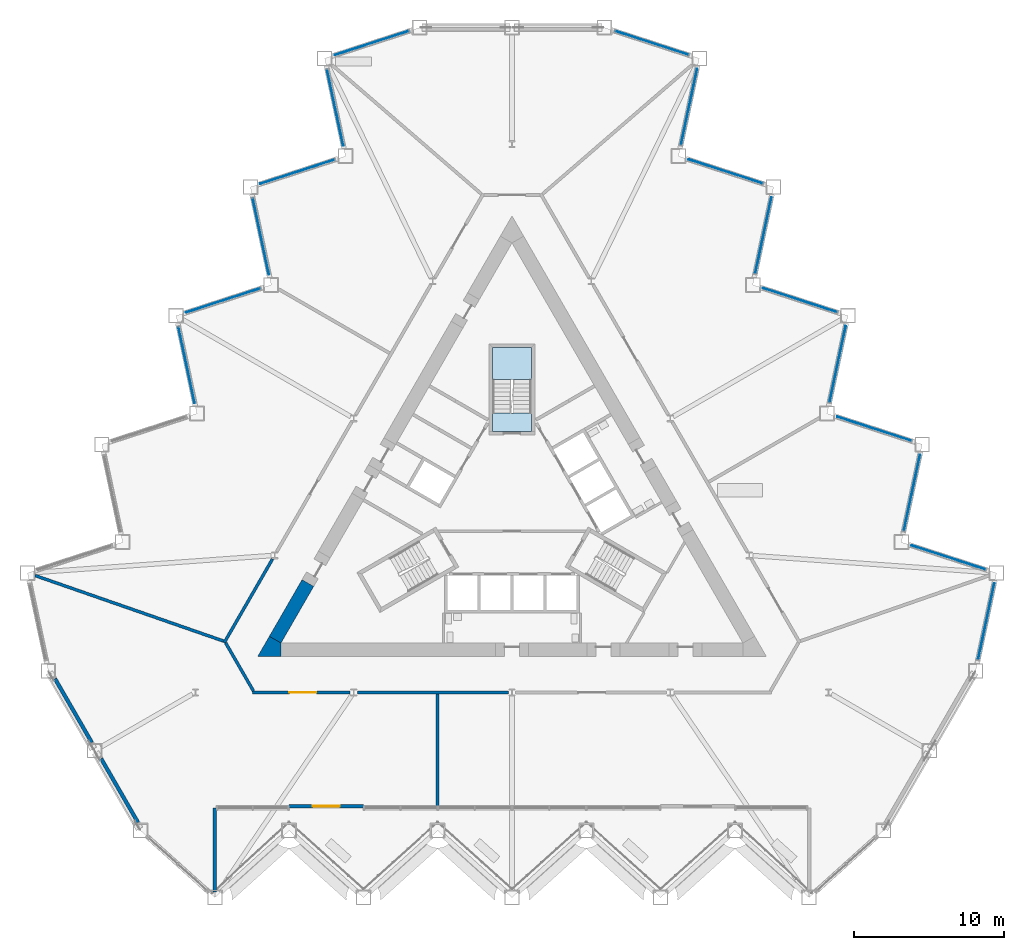
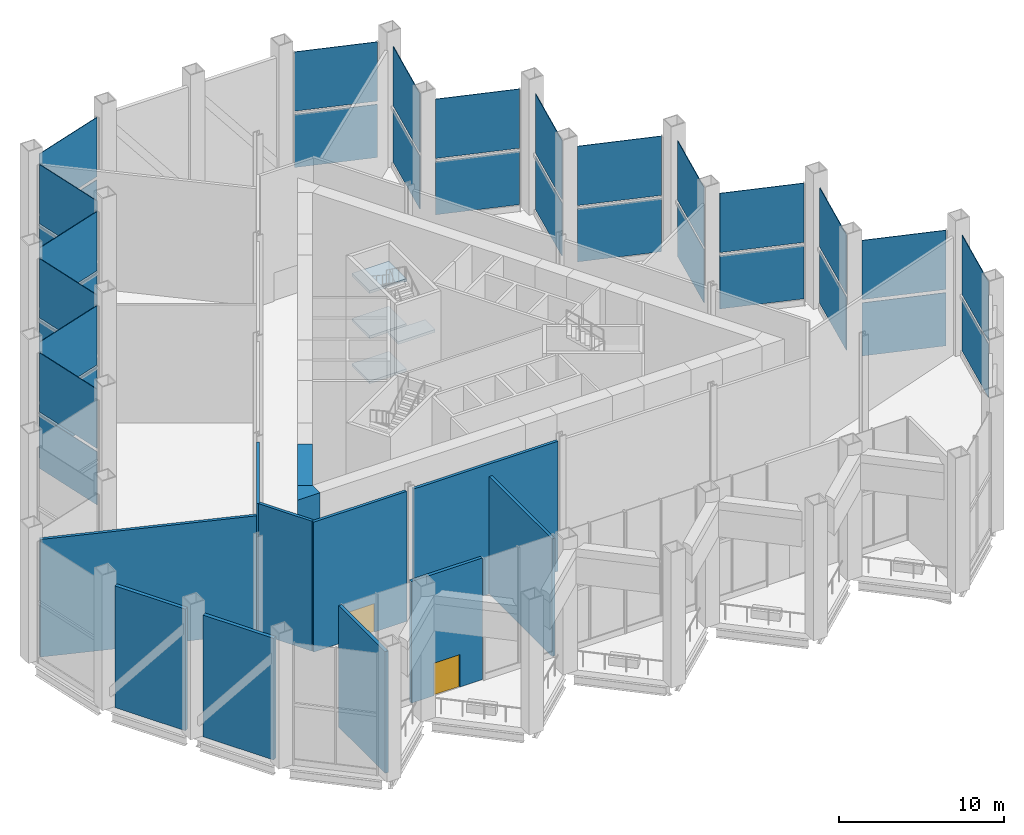
# One storey, part 7 of 17: 32 plates, 12 walls, 4 slabs, 2 doors, 2 openings, 3 elements without a shape of their own.
"""IFC4 building model written with IfcOpenShell, lengths in metres."""

import ifcopenshell
import ifcopenshell.guid

model = None  # the IFC model being written
_history = None  # IfcOwnerHistory: only IFC2X3 demands one
_inside = {}  # id of a spatial element -> (the spatial element, [elements in it])
_under = {}  # id of a project, library or spatial element -> (it, [spatial elements below it])
_declared = {}  # id of a project -> (the project, [libraries it declares])
_typed = {}  # id of a type object -> (the type object, [elements of that type])
_made_of = {}  # id of a material, layer set ... -> (it, [elements and type objects made of it])


def new_model(schema):
    """Start an empty IFC model of exactly this schema.

    Asked for "IFC4X3", IfcOpenShell would pick the latest addendum, in which some entities
    have other attributes; the version numbers below select the first issue.
    IFC2X3 requires an IfcOwnerHistory on every rooted entity: one is made here for all.
    """
    global model, _history
    if schema == "IFC4X3":
        model = ifcopenshell.file(schema_version=(4, 3, 0, 0))
    else:
        model = ifcopenshell.file(schema=schema)
    _inside.clear()
    _under.clear()
    _declared.clear()
    _typed.clear()
    _made_of.clear()
    _history = None
    if model.schema == "IFC2X3":
        org = make("IfcOrganization", Name="unknown")
        user = make(
            "IfcPersonAndOrganization",
            ThePerson=make("IfcPerson", FamilyName="unknown"),
            TheOrganization=org,
        )
        app = make(
            "IfcApplication",
            ApplicationDeveloper=org,
            Version="unknown",
            ApplicationFullName="unknown",
            ApplicationIdentifier="unknown",
        )
        _history = make(
            "IfcOwnerHistory",
            OwningUser=user,
            OwningApplication=app,
            ChangeAction="ADDED",
            CreationDate=0,
        )
    return model


def make(cls, **values):
    """One entity of the class cls with the attributes given. An attribute that is None is left unset."""
    return model.create_entity(
        cls, **{name: value for name, value in values.items() if value is not None}
    )


def rooted(cls, **values):
    """An entity with a GlobalId (a new one), such as an element, a storey or a relation."""
    return make(cls, GlobalId=ifcopenshell.guid.new(), OwnerHistory=_history, **values)


def si_unit(unit_type, name, prefix=None):
    """IfcSIUnit, for example si_unit("LENGTHUNIT", "METRE", prefix="MILLI")."""
    return make("IfcSIUnit", UnitType=unit_type, Prefix=prefix, Name=name)


def assignment(units):
    """IfcUnitAssignment: the units of a project."""
    return None if units is None else make("IfcUnitAssignment", Units=units)


def point(xyz):
    """IfcCartesianPoint."""
    return None if xyz is None else make("IfcCartesianPoint", Coordinates=xyz)


def direction(xyz):
    """IfcDirection."""
    return None if xyz is None else make("IfcDirection", DirectionRatios=xyz)


def frame(location, z_axis=None, x_axis=None):
    """IfcAxis2Placement3D, a coordinate frame: its origin and axes. An axis left out is left unset."""
    return make(
        "IfcAxis2Placement3D",
        Location=point(location),
        Axis=direction(z_axis),
        RefDirection=direction(x_axis),
    )


def frame_2d(location, x_axis=None):
    """IfcAxis2Placement2D, a coordinate frame in the plane: its origin and x axis."""
    return make(
        "IfcAxis2Placement2D", Location=point(location), RefDirection=direction(x_axis)
    )


def origin():
    """The frame at (0, 0, 0) with its axes left unset."""
    return frame((0.0, 0.0, 0.0))


def origin_2d():
    """The frame at (0, 0) in the plane with its x axis left unset."""
    return frame_2d((0.0, 0.0))


def place(relative_to, where):
    """IfcLocalPlacement: puts the frame where relative to a parent placement (None: the world)."""
    return make(
        "IfcLocalPlacement", PlacementRelTo=relative_to, RelativePlacement=where
    )


def context(
    kind, dimensions, precision=None, world=None, true_north=None, identifier=None
):
    """IfcGeometricRepresentationContext, for example the 3D "Model" context."""
    return make(
        "IfcGeometricRepresentationContext",
        ContextIdentifier=identifier,
        ContextType=kind,
        CoordinateSpaceDimension=dimensions,
        Precision=precision,
        WorldCoordinateSystem=world,
        TrueNorth=true_north,
    )


def subcontext(parent, identifier, kind, view, scale=None):
    """IfcGeometricRepresentationSubContext, for example "Body" below "Model"."""
    return make(
        "IfcGeometricRepresentationSubContext",
        ContextIdentifier=identifier,
        ContextType=kind,
        ParentContext=parent,
        TargetScale=scale,
        TargetView=view,
    )


def project(units=None, contexts=None):
    """IfcProject with its units and contexts."""
    return rooted(
        "IfcProject",
        Name="project",
        RepresentationContexts=contexts,
        UnitsInContext=assignment(units),
    )


def spatial(cls, under=None, at=None, **own):
    """A site, building, storey or space (cls), placed at a placement, below another one or the project."""
    s = rooted(cls, ObjectPlacement=at, **own)
    if under is not None:
        _under.setdefault(under.id(), (under, []))[1].append(s)
    return s


def polyline(points):
    """IfcPolyline through the points."""
    return make("IfcPolyline", Points=[point(p) for p in points])


def profile(cls, at=None, kind="AREA", **sizes):
    """A parametric profile (cls). Its sizes go by their IFC names, for example OverallWidth=200.0."""
    return make(cls, ProfileType=kind, Position=at, **sizes)


def rectangle(**sizes):
    """IfcRectangleProfileDef."""
    return profile("IfcRectangleProfileDef", **sizes)


def outline(outer, holes=None, kind="AREA"):
    """IfcArbitraryClosedProfileDef: a profile drawn as a closed curve; with holes, ...WithVoids."""
    if holes is None:
        return make("IfcArbitraryClosedProfileDef", ProfileType=kind, OuterCurve=outer)
    return make(
        "IfcArbitraryProfileDefWithVoids",
        ProfileType=kind,
        OuterCurve=outer,
        InnerCurves=holes,
    )


def extrude(swept, where, along, depth):
    """IfcExtrudedAreaSolid: the profile swept, set in the frame where, extruded along a direction by depth."""
    return make(
        "IfcExtrudedAreaSolid",
        SweptArea=swept,
        Position=where,
        ExtrudedDirection=direction(along),
        Depth=depth,
    )


def shape(context_of_items, identifier, shape_type, items):
    """IfcShapeRepresentation: the items that make up one representation, for example the "Body"."""
    return make(
        "IfcShapeRepresentation",
        ContextOfItems=context_of_items,
        RepresentationIdentifier=identifier,
        RepresentationType=shape_type,
        Items=items,
    )


def material(Name=None, Category=None):
    """IfcMaterial."""
    return make("IfcMaterial", Name=Name, Category=Category)


def layer(
    of_material, thickness, ventilated=None, Name=None, Category=None, Priority=None
):
    """IfcMaterialLayer: one layer of a wall or slab, of a material (None: an air gap)."""
    return make(
        "IfcMaterialLayer",
        Material=of_material,
        LayerThickness=thickness,
        IsVentilated=ventilated,
        Name=Name,
        Category=Category,
        Priority=Priority,
    )


def layer_set(layers, Name=None):
    """IfcMaterialLayerSet."""
    return make("IfcMaterialLayerSet", MaterialLayers=layers, LayerSetName=Name)


def made_of(thing, what):
    """Note that an element or type object is made of a material, layer set ...; save() writes the relation."""
    if what is not None:
        _made_of.setdefault(what.id(), (what, []))[1].append(thing)
    return thing


def type_object(cls, material=None, **own):
    """A type object (cls), such as IfcWallType, which elements share."""
    return made_of(rooted(cls, **own), material)


def element(
    cls,
    number,
    at=None,
    inside=None,
    cuts=None,
    type_object=None,
    material=None,
    context=None,
    identifier="Body",
    shape_type=None,
    held_by="IfcProductDefinitionShape",
    body=None,
    shapes=None,
    **own,
):
    """One element of the class cls, such as IfcWall. Its Tag is "e" and its number.

    at: its placement. inside: the storey or other place that contains it. cuts: it is an
    opening in that element (IfcRelVoidsElement). A single representation is given by context,
    identifier, shape_type and body (its items); several are given by shapes. held_by: the class
    of the entity that holds the representations. save() writes the other relations.
    """
    e = rooted(cls, Tag="e%d" % number, ObjectPlacement=at, **own)
    if body is not None:
        shapes = [shape(context, identifier, shape_type, body)]
    if shapes is not None:
        e.Representation = make(held_by, Representations=shapes)
    if inside is not None:
        _inside.setdefault(inside.id(), (inside, []))[1].append(e)
    if cuts is not None:
        rooted(
            "IfcRelVoidsElement", RelatingBuildingElement=cuts, RelatedOpeningElement=e
        )
    if type_object is not None:
        _typed.setdefault(type_object.id(), (type_object, []))[1].append(e)
    return made_of(e, material)


def fill(opening, filler):
    """IfcRelFillsElement: the door or window that sits in an opening."""
    return rooted(
        "IfcRelFillsElement",
        RelatingOpeningElement=opening,
        RelatedBuildingElement=filler,
    )


def aggregate(whole, parts):
    """IfcRelAggregates: a whole, such as a stair, and the parts it consists of."""
    return rooted("IfcRelAggregates", RelatingObject=whole, RelatedObjects=parts)


def save(model, path):
    """Write the relations noted so far, then the file.

    IfcRelAggregates (storeys below a building ...), IfcRelContainedInSpatialStructure (elements
    in a storey), IfcRelDefinesByType, IfcRelAssociatesMaterial and IfcRelDeclares: one each for
    every whole, place, type object, material and project.
    """
    for whole, parts in _under.values():
        aggregate(whole, parts)
    for where, things in _inside.values():
        rooted(
            "IfcRelContainedInSpatialStructure",
            RelatedElements=things,
            RelatingStructure=where,
        )
    for kind, things in _typed.values():
        rooted("IfcRelDefinesByType", RelatedObjects=things, RelatingType=kind)
    for what, things in _made_of.values():
        rooted("IfcRelAssociatesMaterial", RelatedObjects=things, RelatingMaterial=what)
    for by, libraries in _declared.values():
        rooted("IfcRelDeclares", RelatingContext=by, RelatedDefinitions=libraries)
    model.write(path)


model = new_model("IFC4")

# Units and contexts
model_context = context("Model", 3, precision=1e-05, world=origin(), true_north=direction((0.0, 1.0)))
body_context = subcontext(model_context, "Body", "Model", "MODEL_VIEW")
ifc_project = project(units=[si_unit("LENGTHUNIT", "METRE"), si_unit("AREAUNIT", "SQUARE_METRE"), si_unit("VOLUMEUNIT", "CUBIC_METRE"), si_unit("PLANEANGLEUNIT", "RADIAN"), si_unit("MASSUNIT", "GRAM", prefix="KILO")], contexts=[model_context])

# Site, building, storey
site_placement = place(None, origin())
site = spatial("IfcSite", under=ifc_project, at=site_placement, CompositionType="ELEMENT")
building_placement = place(site_placement, origin())
building = spatial("IfcBuilding", under=site, at=building_placement, Name="Cormorant Prow Tower", CompositionType="ELEMENT")
storey_placement = place(building_placement, frame((0.0, 0.0, 84.60009765625)))
storey = spatial("IfcBuildingStorey", under=building, at=storey_placement, Name="L18", CompositionType="ELEMENT", Elevation=84.60009765625)

# Curtain wall, plates
ifc_material_1 = material(Name="Aluminium 6063-T6", Category="aluminium")
ifc_layer_1 = layer(ifc_material_1, 0.300048828125)
ifc_layer_set_1 = layer_set([ifc_layer_1], Name="Aluminium 6063-T6")
curtain_wall_type = type_object("IfcCurtainWallType", Name="Sky lobby unitised curtain wall 300", PredefinedType="NOTDEFINED", material=ifc_layer_set_1)
curtain_wall_1_placement = place(storey_placement, origin())
curtain_wall_1 = element("IfcCurtainWall", 1, at=curtain_wall_1_placement, inside=storey, type_object=curtain_wall_type, Name="Sky lobby curtain wall ENE00-ENE09", PredefinedType="NOTDEFINED")
ifc_material_2 = material(Name="Clear glass", Category="glass")
ifc_layer_2 = layer(ifc_material_2, 0.0439453125)
ifc_layer_set_2 = layer_set([ifc_layer_2], Name="Clear glass")
plate_type = type_object("IfcPlateType", Name="Sky lobby glass panel 44", PredefinedType="CURTAIN_PANEL", material=ifc_layer_set_2)
plate_1_placement = place(storey_placement, frame((31.702880859375, -7.46630859375, 0.449951171875), z_axis=(0.0, 0.0, 1.0), x_axis=(0.207911740719, 0.978147590127, 0.0)))
plate_1 = element("IfcPlate", 2, at=plate_1_placement, type_object=plate_type, Name="Sky lobby glass panel ENE00-ENE09", PredefinedType="CURTAIN_PANEL", context=body_context, shape_type="SweptSolid", body=[
    extrude(rectangle(XDim=5.196533203125, YDim=0.0439453125, at=origin_2d()), origin(), (0.0, 0.0, 1.0), 3.92431640625),
])
plate_2_placement = place(storey_placement, frame((31.702880859375, -7.46630859375, 4.6142578125), z_axis=(0.0, 0.0, 1.0), x_axis=(0.207911740719, 0.978147590127, 0.0)))
plate_2 = element("IfcPlate", 3, at=plate_2_placement, type_object=plate_type, Name="Sky lobby glass panel ENE00-ENE09", PredefinedType="CURTAIN_PANEL", context=body_context, shape_type="SweptSolid", body=[
    extrude(rectangle(XDim=5.196533203125, YDim=0.0439453125, at=origin_2d()), origin(), (0.0, 0.0, 1.0), 4.37451171875),
])
plate_3_placement = place(storey_placement, frame((29.173583984375, -3.1923828125, 0.449951171875), z_axis=(0.0, 0.0, 1.0), x_axis=(-0.951056529897, 0.309016952512, 0.0)))
plate_3 = element("IfcPlate", 4, at=plate_3_placement, type_object=plate_type, Name="Sky lobby glass panel ENE00-ENE09", PredefinedType="CURTAIN_PANEL", context=body_context, shape_type="SweptSolid", body=[
    extrude(rectangle(XDim=5.196533203125, YDim=0.0439453125, at=origin_2d()), origin(), (0.0, 0.0, 1.0), 3.92431640625),
])
plate_4_placement = place(storey_placement, frame((29.173583984375, -3.1923828125, 4.6142578125), z_axis=(0.0, 0.0, 1.0), x_axis=(-0.951056529897, 0.309016952512, 0.0)))
plate_4 = element("IfcPlate", 5, at=plate_4_placement, type_object=plate_type, Name="Sky lobby glass panel ENE00-ENE09", PredefinedType="CURTAIN_PANEL", context=body_context, shape_type="SweptSolid", body=[
    extrude(rectangle(XDim=5.196533203125, YDim=0.0439453125, at=origin_2d()), origin(), (0.0, 0.0, 1.0), 4.37451171875),
])
plate_5_placement = place(storey_placement, frame((26.73681640625, 1.135009765625, 0.449951171875), z_axis=(0.0, 0.0, 1.0), x_axis=(0.207911740719, 0.978147590127, 0.0)))
plate_5 = element("IfcPlate", 6, at=plate_5_placement, type_object=plate_type, Name="Sky lobby glass panel ENE00-ENE09", PredefinedType="CURTAIN_PANEL", context=body_context, shape_type="SweptSolid", body=[
    extrude(rectangle(XDim=5.196533203125, YDim=0.0439453125, at=origin_2d()), origin(), (0.0, 0.0, 1.0), 3.92431640625),
])
plate_6_placement = place(storey_placement, frame((26.73681640625, 1.135009765625, 4.6142578125), z_axis=(0.0, 0.0, 1.0), x_axis=(0.207911740719, 0.978147590127, 0.0)))
plate_6 = element("IfcPlate", 7, at=plate_6_placement, type_object=plate_type, Name="Sky lobby glass panel ENE00-ENE09", PredefinedType="CURTAIN_PANEL", context=body_context, shape_type="SweptSolid", body=[
    extrude(rectangle(XDim=5.196533203125, YDim=0.0439453125, at=origin_2d()), origin(), (0.0, 0.0, 1.0), 4.37451171875),
])
plate_7_placement = place(storey_placement, frame((24.20751953125, 5.4091796875, 0.449951171875), z_axis=(0.0, 0.0, 1.0), x_axis=(-0.951056529897, 0.309016952512, 0.0)))
plate_7 = element("IfcPlate", 8, at=plate_7_placement, type_object=plate_type, Name="Sky lobby glass panel ENE00-ENE09", PredefinedType="CURTAIN_PANEL", context=body_context, shape_type="SweptSolid", body=[
    extrude(rectangle(XDim=5.196533203125, YDim=0.0439453125, at=origin_2d()), origin(), (0.0, 0.0, 1.0), 3.92431640625),
])
plate_8_placement = place(storey_placement, frame((24.20751953125, 5.4091796875, 4.6142578125), z_axis=(0.0, 0.0, 1.0), x_axis=(-0.951056529897, 0.309016952512, 0.0)))
plate_8 = element("IfcPlate", 9, at=plate_8_placement, type_object=plate_type, Name="Sky lobby glass panel ENE00-ENE09", PredefinedType="CURTAIN_PANEL", context=body_context, shape_type="SweptSolid", body=[
    extrude(rectangle(XDim=5.196533203125, YDim=0.0439453125, at=origin_2d()), origin(), (0.0, 0.0, 1.0), 4.37451171875),
])
plate_9_placement = place(storey_placement, frame((21.770751953125, 9.736572265625, 0.449951171875), z_axis=(0.0, 0.0, 1.0), x_axis=(0.207911597554, 0.978147620558, 0.0)))
plate_9 = element("IfcPlate", 10, at=plate_9_placement, type_object=plate_type, Name="Sky lobby glass panel ENE00-ENE09", PredefinedType="CURTAIN_PANEL", context=body_context, shape_type="SweptSolid", body=[
    extrude(rectangle(XDim=5.196533203125, YDim=0.0439453125, at=origin_2d()), origin(), (0.0, 0.0, 1.0), 3.92431640625),
])
plate_10_placement = place(storey_placement, frame((21.770751953125, 9.736572265625, 4.6142578125), z_axis=(0.0, 0.0, 1.0), x_axis=(0.207911597554, 0.978147620558, 0.0)))
plate_10 = element("IfcPlate", 11, at=plate_10_placement, type_object=plate_type, Name="Sky lobby glass panel ENE00-ENE09", PredefinedType="CURTAIN_PANEL", context=body_context, shape_type="SweptSolid", body=[
    extrude(rectangle(XDim=5.196533203125, YDim=0.0439453125, at=origin_2d()), origin(), (0.0, 0.0, 1.0), 4.37451171875),
])
plate_11_placement = place(storey_placement, frame((19.241455078125, 14.010498046875, 0.449951171875), z_axis=(0.0, 0.0, 1.0), x_axis=(-0.951056471627, 0.309017131848, 0.0)))
plate_11 = element("IfcPlate", 12, at=plate_11_placement, type_object=plate_type, Name="Sky lobby glass panel ENE00-ENE09", PredefinedType="CURTAIN_PANEL", context=body_context, shape_type="SweptSolid", body=[
    extrude(rectangle(XDim=5.196533203125, YDim=0.0439453125, at=origin_2d()), origin(), (0.0, 0.0, 1.0), 3.92431640625),
])
plate_12_placement = place(storey_placement, frame((19.241455078125, 14.010498046875, 4.6142578125), z_axis=(0.0, 0.0, 1.0), x_axis=(-0.951056471627, 0.309017131848, 0.0)))
plate_12 = element("IfcPlate", 13, at=plate_12_placement, type_object=plate_type, Name="Sky lobby glass panel ENE00-ENE09", PredefinedType="CURTAIN_PANEL", context=body_context, shape_type="SweptSolid", body=[
    extrude(rectangle(XDim=5.196533203125, YDim=0.0439453125, at=origin_2d()), origin(), (0.0, 0.0, 1.0), 4.37451171875),
])
plate_13_placement = place(storey_placement, frame((16.8046875, 18.338134765625, 0.449951171875), z_axis=(0.0, 0.0, 1.0), x_axis=(0.207911597554, 0.978147620558, 0.0)))
plate_13 = element("IfcPlate", 14, at=plate_13_placement, type_object=plate_type, Name="Sky lobby glass panel ENE00-ENE09", PredefinedType="CURTAIN_PANEL", context=body_context, shape_type="SweptSolid", body=[
    extrude(rectangle(XDim=5.196533203125, YDim=0.0439453125, at=origin_2d()), origin(), (0.0, 0.0, 1.0), 3.92431640625),
])
plate_14_placement = place(storey_placement, frame((16.8046875, 18.338134765625, 4.6142578125), z_axis=(0.0, 0.0, 1.0), x_axis=(0.207911597554, 0.978147620558, 0.0)))
plate_14 = element("IfcPlate", 15, at=plate_14_placement, type_object=plate_type, Name="Sky lobby glass panel ENE00-ENE09", PredefinedType="CURTAIN_PANEL", context=body_context, shape_type="SweptSolid", body=[
    extrude(rectangle(XDim=5.196533203125, YDim=0.0439453125, at=origin_2d()), origin(), (0.0, 0.0, 1.0), 4.37451171875),
])
plate_15_placement = place(storey_placement, frame((14.275390625, 22.612060546875, 0.449951171875), z_axis=(0.0, 0.0, 1.0), x_axis=(-0.95105651561, 0.309016996483, 0.0)))
plate_15 = element("IfcPlate", 16, at=plate_15_placement, type_object=plate_type, Name="Sky lobby glass panel ENE00-ENE09", PredefinedType="CURTAIN_PANEL", context=body_context, shape_type="SweptSolid", body=[
    extrude(rectangle(XDim=5.196533203125, YDim=0.0439453125, at=origin_2d()), origin(), (0.0, 0.0, 1.0), 3.92431640625),
])
plate_16_placement = place(storey_placement, frame((14.275390625, 22.612060546875, 4.6142578125), z_axis=(0.0, 0.0, 1.0), x_axis=(-0.95105651561, 0.309016996483, 0.0)))
plate_16 = element("IfcPlate", 17, at=plate_16_placement, type_object=plate_type, Name="Sky lobby glass panel ENE00-ENE09", PredefinedType="CURTAIN_PANEL", context=body_context, shape_type="SweptSolid", body=[
    extrude(rectangle(XDim=5.196533203125, YDim=0.0439453125, at=origin_2d()), origin(), (0.0, 0.0, 1.0), 4.37451171875),
])
plate_17_placement = place(storey_placement, frame((11.838623046875, 26.939453125, 0.449951171875), z_axis=(0.0, 0.0, 1.0), x_axis=(0.207911597554, 0.978147620558, 0.0)))
plate_17 = element("IfcPlate", 18, at=plate_17_placement, type_object=plate_type, Name="Sky lobby glass panel ENE00-ENE09", PredefinedType="CURTAIN_PANEL", context=body_context, shape_type="SweptSolid", body=[
    extrude(rectangle(XDim=5.196533203125, YDim=0.0439453125, at=origin_2d()), origin(), (0.0, 0.0, 1.0), 3.92431640625),
])
plate_18_placement = place(storey_placement, frame((11.838623046875, 26.939453125, 4.6142578125), z_axis=(0.0, 0.0, 1.0), x_axis=(0.207911597554, 0.978147620558, 0.0)))
plate_18 = element("IfcPlate", 19, at=plate_18_placement, type_object=plate_type, Name="Sky lobby glass panel ENE00-ENE09", PredefinedType="CURTAIN_PANEL", context=body_context, shape_type="SweptSolid", body=[
    extrude(rectangle(XDim=5.196533203125, YDim=0.0439453125, at=origin_2d()), origin(), (0.0, 0.0, 1.0), 4.37451171875),
])
plate_19_placement = place(storey_placement, frame((9.347412109375, 31.201171875, 0.449951171875), z_axis=(0.0, 0.0, 1.0), x_axis=(-0.951056529897, 0.309016952512, 0.0)))
plate_19 = element("IfcPlate", 20, at=plate_19_placement, type_object=plate_type, Name="Sky lobby glass panel ENE00-ENE09", PredefinedType="CURTAIN_PANEL", context=body_context, shape_type="SweptSolid", body=[
    extrude(rectangle(XDim=5.116455078125, YDim=0.0439453125, at=origin_2d()), origin(), (0.0, 0.0, 1.0), 3.92431640625),
])
plate_20_placement = place(storey_placement, frame((9.347412109375, 31.201171875, 4.6142578125), z_axis=(0.0, 0.0, 1.0), x_axis=(-0.951056529897, 0.309016952512, 0.0)))
plate_20 = element("IfcPlate", 21, at=plate_20_placement, type_object=plate_type, Name="Sky lobby glass panel ENE00-ENE09", PredefinedType="CURTAIN_PANEL", context=body_context, shape_type="SweptSolid", body=[
    extrude(rectangle(XDim=5.116455078125, YDim=0.0439453125, at=origin_2d()), origin(), (0.0, 0.0, 1.0), 4.37451171875),
])
aggregate(curtain_wall_1, [plate_1, plate_2, plate_3, plate_4, plate_5, plate_6, plate_7, plate_8, plate_9, plate_10, plate_11, plate_12, plate_13, plate_14, plate_15, plate_16, plate_17, plate_18, plate_19, plate_20])

curtain_wall_2_placement = place(storey_placement, origin())
curtain_wall_2 = element("IfcCurtainWall", 22, at=curtain_wall_2_placement, inside=storey, type_object=curtain_wall_type, Name="Sky lobby curtain wall WNW00-WNW09", PredefinedType="NOTDEFINED")
plate_21_placement = place(storey_placement, frame((-9.385498046875, 31.188720703125, 0.449951171875), z_axis=(0.0, 0.0, 1.0), x_axis=(-0.951056529897, -0.309016952512, 0.0)))
plate_21 = element("IfcPlate", 23, at=plate_21_placement, type_object=plate_type, Name="Sky lobby glass panel WNW00-WNW09", PredefinedType="CURTAIN_PANEL", context=body_context, shape_type="SweptSolid", body=[
    extrude(rectangle(XDim=5.196533203125, YDim=0.0439453125, at=origin_2d()), origin(), (0.0, 0.0, 1.0), 3.92431640625),
])
plate_22_placement = place(storey_placement, frame((-9.385498046875, 31.188720703125, 4.6142578125), z_axis=(0.0, 0.0, 1.0), x_axis=(-0.951056529897, -0.309016952512, 0.0)))
plate_22 = element("IfcPlate", 24, at=plate_22_placement, type_object=plate_type, Name="Sky lobby glass panel WNW00-WNW09", PredefinedType="CURTAIN_PANEL", context=body_context, shape_type="SweptSolid", body=[
    extrude(rectangle(XDim=5.196533203125, YDim=0.0439453125, at=origin_2d()), origin(), (0.0, 0.0, 1.0), 4.37451171875),
])
plate_23_placement = place(storey_placement, frame((-11.822021484375, 26.861328125, 0.449951171875), z_axis=(0.0, 0.0, 1.0), x_axis=(0.207911597554, -0.978147620558, 0.0)))
plate_23 = element("IfcPlate", 25, at=plate_23_placement, type_object=plate_type, Name="Sky lobby glass panel WNW00-WNW09", PredefinedType="CURTAIN_PANEL", context=body_context, shape_type="SweptSolid", body=[
    extrude(rectangle(XDim=5.196533203125, YDim=0.0439453125, at=origin_2d()), origin(), (0.0, 0.0, 1.0), 3.92431640625),
])
plate_24_placement = place(storey_placement, frame((-11.822021484375, 26.861328125, 4.6142578125), z_axis=(0.0, 0.0, 1.0), x_axis=(0.207911597554, -0.978147620558, 0.0)))
plate_24 = element("IfcPlate", 26, at=plate_24_placement, type_object=plate_type, Name="Sky lobby glass panel WNW00-WNW09", PredefinedType="CURTAIN_PANEL", context=body_context, shape_type="SweptSolid", body=[
    extrude(rectangle(XDim=5.196533203125, YDim=0.0439453125, at=origin_2d()), origin(), (0.0, 0.0, 1.0), 4.37451171875),
])
plate_25_placement = place(storey_placement, frame((-14.3515625, 22.58740234375, 0.449951171875), z_axis=(0.0, 0.0, 1.0), x_axis=(-0.95105651561, -0.309016996483, 0.0)))
plate_25 = element("IfcPlate", 27, at=plate_25_placement, type_object=plate_type, Name="Sky lobby glass panel WNW00-WNW09", PredefinedType="CURTAIN_PANEL", context=body_context, shape_type="SweptSolid", body=[
    extrude(rectangle(XDim=5.196533203125, YDim=0.0439453125, at=origin_2d()), origin(), (0.0, 0.0, 1.0), 3.92431640625),
])
plate_26_placement = place(storey_placement, frame((-14.3515625, 22.58740234375, 4.6142578125), z_axis=(0.0, 0.0, 1.0), x_axis=(-0.95105651561, -0.309016996483, 0.0)))
plate_26 = element("IfcPlate", 28, at=plate_26_placement, type_object=plate_type, Name="Sky lobby glass panel WNW00-WNW09", PredefinedType="CURTAIN_PANEL", context=body_context, shape_type="SweptSolid", body=[
    extrude(rectangle(XDim=5.196533203125, YDim=0.0439453125, at=origin_2d()), origin(), (0.0, 0.0, 1.0), 4.37451171875),
])
plate_27_placement = place(storey_placement, frame((-16.7880859375, 18.259765625, 0.449951171875), z_axis=(0.0, 0.0, 1.0), x_axis=(0.207911597554, -0.978147620558, 0.0)))
plate_27 = element("IfcPlate", 29, at=plate_27_placement, type_object=plate_type, Name="Sky lobby glass panel WNW00-WNW09", PredefinedType="CURTAIN_PANEL", context=body_context, shape_type="SweptSolid", body=[
    extrude(rectangle(XDim=5.196533203125, YDim=0.0439453125, at=origin_2d()), origin(), (0.0, 0.0, 1.0), 3.92431640625),
])
plate_28_placement = place(storey_placement, frame((-16.7880859375, 18.259765625, 4.6142578125), z_axis=(0.0, 0.0, 1.0), x_axis=(0.207911597554, -0.978147620558, 0.0)))
plate_28 = element("IfcPlate", 30, at=plate_28_placement, type_object=plate_type, Name="Sky lobby glass panel WNW00-WNW09", PredefinedType="CURTAIN_PANEL", context=body_context, shape_type="SweptSolid", body=[
    extrude(rectangle(XDim=5.196533203125, YDim=0.0439453125, at=origin_2d()), origin(), (0.0, 0.0, 1.0), 4.37451171875),
])
plate_29_placement = place(storey_placement, frame((-19.317626953125, 13.98583984375, 0.449951171875), z_axis=(0.0, 0.0, 1.0), x_axis=(-0.951056471627, -0.309017131848, 0.0)))
plate_29 = element("IfcPlate", 31, at=plate_29_placement, type_object=plate_type, Name="Sky lobby glass panel WNW00-WNW09", PredefinedType="CURTAIN_PANEL", context=body_context, shape_type="SweptSolid", body=[
    extrude(rectangle(XDim=5.196533203125, YDim=0.0439453125, at=origin_2d()), origin(), (0.0, 0.0, 1.0), 3.92431640625),
])
plate_30_placement = place(storey_placement, frame((-19.317626953125, 13.98583984375, 4.6142578125), z_axis=(0.0, 0.0, 1.0), x_axis=(-0.951056471627, -0.309017131848, 0.0)))
plate_30 = element("IfcPlate", 32, at=plate_30_placement, type_object=plate_type, Name="Sky lobby glass panel WNW00-WNW09", PredefinedType="CURTAIN_PANEL", context=body_context, shape_type="SweptSolid", body=[
    extrude(rectangle(XDim=5.196533203125, YDim=0.0439453125, at=origin_2d()), origin(), (0.0, 0.0, 1.0), 4.37451171875),
])
plate_31_placement = place(storey_placement, frame((-21.754150390625, 9.658447265625, 0.449951171875), z_axis=(0.0, 0.0, 1.0), x_axis=(0.207911597554, -0.978147620558, 0.0)))
plate_31 = element("IfcPlate", 33, at=plate_31_placement, type_object=plate_type, Name="Sky lobby glass panel WNW00-WNW09", PredefinedType="CURTAIN_PANEL", context=body_context, shape_type="SweptSolid", body=[
    extrude(rectangle(XDim=5.196533203125, YDim=0.0439453125, at=origin_2d()), origin(), (0.0, 0.0, 1.0), 3.92431640625),
])
plate_32_placement = place(storey_placement, frame((-21.754150390625, 9.658447265625, 4.6142578125), z_axis=(0.0, 0.0, 1.0), x_axis=(0.207911597554, -0.978147620558, 0.0)))
plate_32 = element("IfcPlate", 34, at=plate_32_placement, type_object=plate_type, Name="Sky lobby glass panel WNW00-WNW09", PredefinedType="CURTAIN_PANEL", context=body_context, shape_type="SweptSolid", body=[
    extrude(rectangle(XDim=5.196533203125, YDim=0.0439453125, at=origin_2d()), origin(), (0.0, 0.0, 1.0), 4.37451171875),
])
aggregate(curtain_wall_2, [plate_21, plate_22, plate_23, plate_24, plate_25, plate_26, plate_27, plate_28, plate_29, plate_30, plate_31, plate_32])

# Stair, slabs
ifc_material_3 = material(Name="Exit stair 54 risers")
stair_type = type_object("IfcStairType", Name="Exit stair 54 risers", PredefinedType="HALF_TURN_STAIR", material=ifc_material_3)
stair_placement = place(storey_placement, origin())
stair = element("IfcStair", 35, at=stair_placement, inside=storey, type_object=stair_type, Name="L18 Exit stair ST3", PredefinedType="HALF_TURN_STAIR")
ifc_material_4 = material(Name="Concrete 5000 psi", Category="concrete")
ifc_layer_3 = layer(ifc_material_4, 0.199951171875)
ifc_layer_set_3 = layer_set([ifc_layer_3], Name="Concrete 5000 psi")
slab_type = type_object("IfcSlabType", Name="Stair landing 200", PredefinedType="LANDING", material=ifc_layer_set_3)
slab_1_placement = place(storey_placement, frame((0.0, 0.0, 1.466552734375)))
slab_1 = element("IfcSlab", 36, at=slab_1_placement, type_object=slab_type, Name="ST3 landing 1", PredefinedType="LANDING", context=body_context, shape_type="SweptSolid", body=[
    extrude(outline(polyline([(1.2939453125, 8.69189453125), (1.2939453125, 10.8369140625), (-1.2939453125, 10.8369140625), (-1.2939453125, 8.69189453125), (1.2939453125, 8.69189453125)])), origin(), (0.0, 0.0, 1.0), 0.199951171875),
])
slab_2_placement = place(storey_placement, frame((0.0, 0.0, 4.7998046875)))
slab_2 = element("IfcSlab", 37, at=slab_2_placement, type_object=slab_type, Name="ST3 landing 3", PredefinedType="LANDING", context=body_context, shape_type="SweptSolid", body=[
    extrude(outline(polyline([(1.2939453125, 8.69189453125), (1.2939453125, 10.8369140625), (-1.2939453125, 10.8369140625), (-1.2939453125, 8.69189453125), (1.2939453125, 8.69189453125)])), origin(), (0.0, 0.0, 1.0), 0.2001953125),
])
slab_3_placement = place(storey_placement, frame((0.0, 0.0, 6.466552734375)))
slab_3 = element("IfcSlab", 38, at=slab_3_placement, type_object=slab_type, Name="ST3 landing 4", PredefinedType="LANDING", context=body_context, shape_type="SweptSolid", body=[
    extrude(outline(polyline([(1.2939453125, 5.23681640625), (1.2939453125, 6.459716796875), (-1.2939453125, 6.459716796875), (-1.2939453125, 5.23681640625), (1.2939453125, 5.23681640625)])), origin(), (0.0, 0.0, 1.0), 0.199951171875),
])
slab_4_placement = place(storey_placement, frame((0.0, 0.0, 8.13330078125)))
slab_4 = element("IfcSlab", 39, at=slab_4_placement, type_object=slab_type, Name="ST3 landing 5", PredefinedType="LANDING", context=body_context, shape_type="SweptSolid", body=[
    extrude(outline(polyline([(1.2939453125, 8.69189453125), (1.2939453125, 10.8369140625), (-1.2939453125, 10.8369140625), (-1.2939453125, 8.69189453125), (1.2939453125, 8.69189453125)])), origin(), (0.0, 0.0, 1.0), 0.199951171875),
])
aggregate(stair, [slab_1, slab_2, slab_3, slab_4])

# Walls
ifc_material_5 = material(Name="Concrete 8000 psi", Category="concrete")
ifc_layer_4 = layer(ifc_material_5, 0.89990234375)
ifc_layer_set_4 = layer_set([ifc_layer_4], Name="Concrete 8000 psi")
wall_type_1 = type_object("IfcWallType", Name="Core shear wall 900", PredefinedType="SHEAR", material=ifc_layer_set_4)
wall_1_placement = place(storey_placement, frame((-13.6455078125, -4.90478515625, 0.0), z_axis=(0.0, 0.0, 1.0), x_axis=(-0.499990005186, -0.866031174216, 0.0)))
element("IfcWall", 40, at=wall_1_placement, inside=storey, type_object=wall_type_1, Name="Core wall", PredefinedType="SHEAR", context=body_context, shape_type="SweptSolid", body=[
    extrude(rectangle(XDim=4.37060546875, YDim=0.89990234375, at=frame_2d((2.185302734375, 0.0))), origin(), (0.0, 0.0, 1.0), 9.599853515625),
])
wall_2_placement = place(storey_placement, origin())
element("IfcWall", 41, at=wall_2_placement, inside=storey, type_object=wall_type_1, Name="Core wall corner", PredefinedType="SHEAR", context=body_context, shape_type="SweptSolid", body=[
    extrude(outline(polyline([(-16.220703125, -8.465087890625), (-15.441162109375, -8.9150390625), (-15.441162109375, -9.81494140625), (-17.0, -9.81494140625), (-16.220703125, -8.465087890625)])), origin(), (0.0, 0.0, 1.0), 9.599853515625),
])
ifc_material_6 = material(Name="Gypsum board corridor wall")
ifc_layer_5 = layer(ifc_material_6, 0.199951171875)
ifc_layer_set_5 = layer_set([ifc_layer_5], Name="Gypsum board corridor wall")
wall_type_2 = type_object("IfcWallType", Name="Corridor wall 200", PredefinedType="PARTITIONING", material=ifc_layer_set_5)
wall_3_placement = place(storey_placement, frame((-10.336181640625, -12.215087890625, 0.0), z_axis=(0.0, 0.0, 1.0), x_axis=(1.0, 0.0, 0.0)))
element("IfcWall", 42, at=wall_3_placement, inside=storey, type_object=wall_type_2, Name="Corridor wall", PredefinedType="PARTITIONING", context=body_context, shape_type="SweptSolid", body=[
    extrude(rectangle(XDim=10.093994140625, YDim=0.199951171875, at=frame_2d((5.046875, 0.0))), origin(), (0.0, 0.0, 1.0), 9.599853515625),
])

# Wall, opening, door
wall_4_placement = place(storey_placement, frame((-17.330810546875, -12.215087890625, 0.0), z_axis=(0.0, 0.0, 1.0), x_axis=(1.0, 0.0, 0.0)))
wall_4 = element("IfcWall", 43, at=wall_4_placement, inside=storey, type_object=wall_type_2, Name="Corridor wall", PredefinedType="PARTITIONING", context=body_context, shape_type="SweptSolid", body=[
    extrude(rectangle(XDim=6.510009765625, YDim=0.199951171875, at=frame_2d((3.2548828125, 0.0))), origin(), (0.0, 0.0, 1.0), 9.599853515625),
])
opening_1_placement = place(wall_4_placement, frame((2.455322265625, 0.0, 0.0)))
opening_1 = element("IfcOpeningElement", 44, at=opening_1_placement, cuts=wall_4, Name="Opening L18-F07", PredefinedType="OPENING", context=body_context, shape_type="SweptSolid", body=[
    extrude(rectangle(XDim=1.800048828125, YDim=2.10009765625, at=frame_2d((0.89990234375, 1.050048828125))), frame((0.0, 0.10986328125, 0.0), z_axis=(0.0, -1.0, 0.0), x_axis=(1.0, 0.0, 0.0)), (0.0, 0.0, 1.0), 0.219970703125),
])
ifc_material_7 = material(Name="Timber door leaf", Category="wood")
door_type_1 = type_object("IfcDoorType", Name="Double door 1800x2100", OperationType="DOUBLE_DOOR_SINGLE_SWING", PredefinedType="DOOR", material=ifc_material_7)
door_1_placement = place(opening_1_placement, origin())
door_1 = element("IfcDoor", 45, at=door_1_placement, inside=storey, type_object=door_type_1, Name="Business services centre door", OperationType="DOUBLE_DOOR_SINGLE_SWING", OverallHeight=2.10009765625, OverallWidth=1.800048828125, PredefinedType="DOOR", context=body_context, shape_type="SweptSolid", body=[
    extrude(rectangle(XDim=1.800048828125, YDim=2.10009765625, at=frame_2d((0.89990234375, 1.050048828125))), frame((0.0, 0.02490234375, 0.0), z_axis=(0.0, -1.0, 0.0), x_axis=(1.0, 0.0, 0.0)), (0.0, 0.0, 1.0), 0.050048828125),
])
fill(opening_1, door_1)

# Walls
wall_5_placement = place(storey_placement, frame((-19.243896484375, -8.901611328125, 0.0), z_axis=(0.0, 0.0, 1.0), x_axis=(0.499984737558, 0.86603421538, 0.0)))
element("IfcWall", 46, at=wall_5_placement, inside=storey, type_object=wall_type_2, Name="Corridor wall", PredefinedType="PARTITIONING", context=body_context, shape_type="SweptSolid", body=[
    extrude(rectangle(XDim=6.472900390625, YDim=0.199951171875, at=frame_2d((3.236328125, 0.0))), origin(), (0.0, 0.0, 1.0), 9.599853515625),
])
wall_6_placement = place(storey_placement, frame((-19.143798828125, -8.901611328125, 0.0), z_axis=(0.0, 0.0, 1.0), x_axis=(0.499958791762, -0.866049194065, 0.0)))
element("IfcWall", 47, at=wall_6_placement, inside=storey, type_object=wall_type_2, Name="Corridor wall", PredefinedType="PARTITIONING", context=body_context, shape_type="SweptSolid", body=[
    extrude(rectangle(XDim=3.725830078125, YDim=0.199951171875, at=frame_2d((1.86279296875, 0.0))), origin(), (0.0, 0.0, 1.0), 9.599853515625),
])
ifc_material_8 = material(Name="Gypsum board demising wall")
ifc_layer_6 = layer(ifc_material_8, 0.199951171875)
ifc_layer_set_6 = layer_set([ifc_layer_6], Name="Gypsum board demising wall")
wall_type_3 = type_object("IfcWallType", Name="Demising wall 200", PredefinedType="PARTITIONING", material=ifc_layer_set_6)
wall_7_placement = place(storey_placement, frame((-31.87939453125, -4.404541015625, 0.0), z_axis=(0.0, 0.0, 1.0), x_axis=(0.944544719933, -0.328382813263, 0.0)))
element("IfcWall", 48, at=wall_7_placement, inside=storey, type_object=wall_type_3, Name="Demising wall", PredefinedType="PARTITIONING", context=body_context, shape_type="SweptSolid", body=[
    extrude(rectangle(XDim=13.330322265625, YDim=0.199951171875, at=frame_2d((6.6650390625, 0.0))), origin(), (0.0, 0.0, 1.0), 8.685302734375),
])
wall_8_placement = place(storey_placement, frame((-4.966064453125, -19.931396484375, 0.0), z_axis=(0.0, 0.0, 1.0), x_axis=(0.0, 1.0, 0.0)))
element("IfcWall", 49, at=wall_8_placement, inside=storey, type_object=wall_type_3, Name="Demising wall", PredefinedType="PARTITIONING", context=body_context, shape_type="SweptSolid", body=[
    extrude(rectangle(XDim=7.616455078125, YDim=0.199951171875, at=frame_2d((3.80810546875, 0.0))), origin(), (0.0, 0.0, 1.0), 8.685302734375),
])
ifc_material_9 = material(Name="Terracotta", Category="masonry")
ifc_layer_7 = layer(ifc_material_9, 0.25)
ifc_layer_set_7 = layer_set([ifc_layer_7], Name="Terracotta")
wall_type_4 = type_object("IfcWallType", Name="Terracotta bay wall 250", PredefinedType="SOLIDWALL", material=ifc_layer_set_7)
for number, where, z_axis, x_axis, name in (
    (50, (-30.552490234375, -11.298828125, 0.0), (0.0, 0.0, 1.0), (0.499991179438, -0.866030496278, 0.0), "Terracotta bay wall WSW00"),
    (51, (-27.4677734375, -16.641845703125, 0.0), (0.0, 0.0, 1.0), (0.499991179438, -0.866030496278, 0.0), "Terracotta bay wall WSW01"),
):
    element("IfcWall", number, at=place(storey_placement, frame(where, z_axis=z_axis, x_axis=x_axis)), inside=storey, type_object=wall_type_4, Name=name, PredefinedType="SOLIDWALL", context=body_context, shape_type="SweptSolid", body=[
        extrude(rectangle(XDim=4.92822265625, YDim=0.25, at=frame_2d((2.464111328125, 0.0))), origin(), (0.0, 0.0, 1.0), 8.98876953125),
    ])

# Wall, opening, door
ifc_material_10 = material(Name="Terracotta", Category="masonry")
ifc_layer_8 = layer(ifc_material_10, 0.219970703125)
ifc_layer_set_8 = layer_set([ifc_layer_8], Name="Terracotta")
wall_type_5 = type_object("IfcWallType", Name="Terracotta loggia wall 220", PredefinedType="SOLIDWALL", material=ifc_layer_set_8)
wall_9_placement = place(storey_placement, frame((-14.898193359375, -19.8212890625, 0.0), z_axis=(0.0, 0.0, 1.0), x_axis=(1.0, 0.0, 0.0)))
wall_9 = element("IfcWall", 52, at=wall_9_placement, inside=storey, type_object=wall_type_5, Name="Terracotta loggia wall S02", PredefinedType="SOLIDWALL", context=body_context, shape_type="SweptSolid", body=[
    extrude(rectangle(XDim=4.966064453125, YDim=0.219970703125, at=frame_2d((2.48291015625, 0.0))), origin(), (0.0, 0.0, 1.0), 8.98876953125),
])
opening_2_placement = place(wall_9_placement, frame((1.5830078125, 0.0, 0.0)))
opening_2 = element("IfcOpeningElement", 53, at=opening_2_placement, cuts=wall_9, Name="Opening ED18.01", PredefinedType="OPENING", context=body_context, shape_type="SweptSolid", body=[
    extrude(rectangle(XDim=1.800048828125, YDim=2.39990234375, at=frame_2d((0.89990234375, 1.199951171875))), frame((0.0, 0.119873046875, 0.0), z_axis=(0.0, -1.0, 0.0), x_axis=(1.0, 0.0, 0.0)), (0.0, 0.0, 1.0), 0.239990234375),
])
ifc_material_11 = material(Name="Aluminium 6063-T6", Category="aluminium")
door_type_2 = type_object("IfcDoorType", Name="Terrace door 1800x2400", OperationType="DOUBLE_DOOR_SINGLE_SWING", PredefinedType="DOOR", material=ifc_material_11)
door_2_placement = place(opening_2_placement, origin())
door_2 = element("IfcDoor", 54, at=door_2_placement, inside=storey, type_object=door_type_2, Name="Terrace door S02 ED18.01", OperationType="DOUBLE_DOOR_SINGLE_SWING", OverallHeight=2.39990234375, OverallWidth=1.800048828125, PredefinedType="DOOR", context=body_context, shape_type="SweptSolid", body=[
    extrude(rectangle(XDim=1.800048828125, YDim=2.39990234375, at=frame_2d((0.89990234375, 1.199951171875))), frame((0.0, 0.02490234375, 0.0), z_axis=(0.0, -1.0, 0.0), x_axis=(1.0, 0.0, 0.0)), (0.0, 0.0, 1.0), 0.050048828125),
])
fill(opening_2, door_2)

# Wall
wall_10_placement = place(storey_placement, frame((-19.8642578125, -25.55126953125, 0.0), z_axis=(0.0, 0.0, 1.0), x_axis=(0.0, 1.0, 0.0)))
element("IfcWall", 55, at=wall_10_placement, inside=storey, type_object=wall_type_5, Name="Terracotta loggia return S west", PredefinedType="SOLIDWALL", context=body_context, shape_type="SweptSolid", body=[
    extrude(rectangle(XDim=5.619873046875, YDim=0.219970703125, at=frame_2d((2.81005859375, 0.0))), origin(), (0.0, 0.0, 1.0), 8.98876953125),
])

save(model, "model.ifc")
